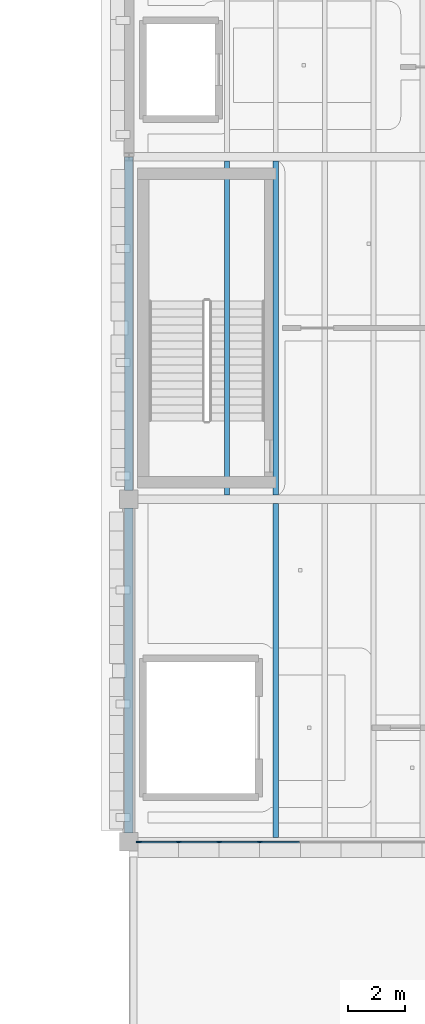
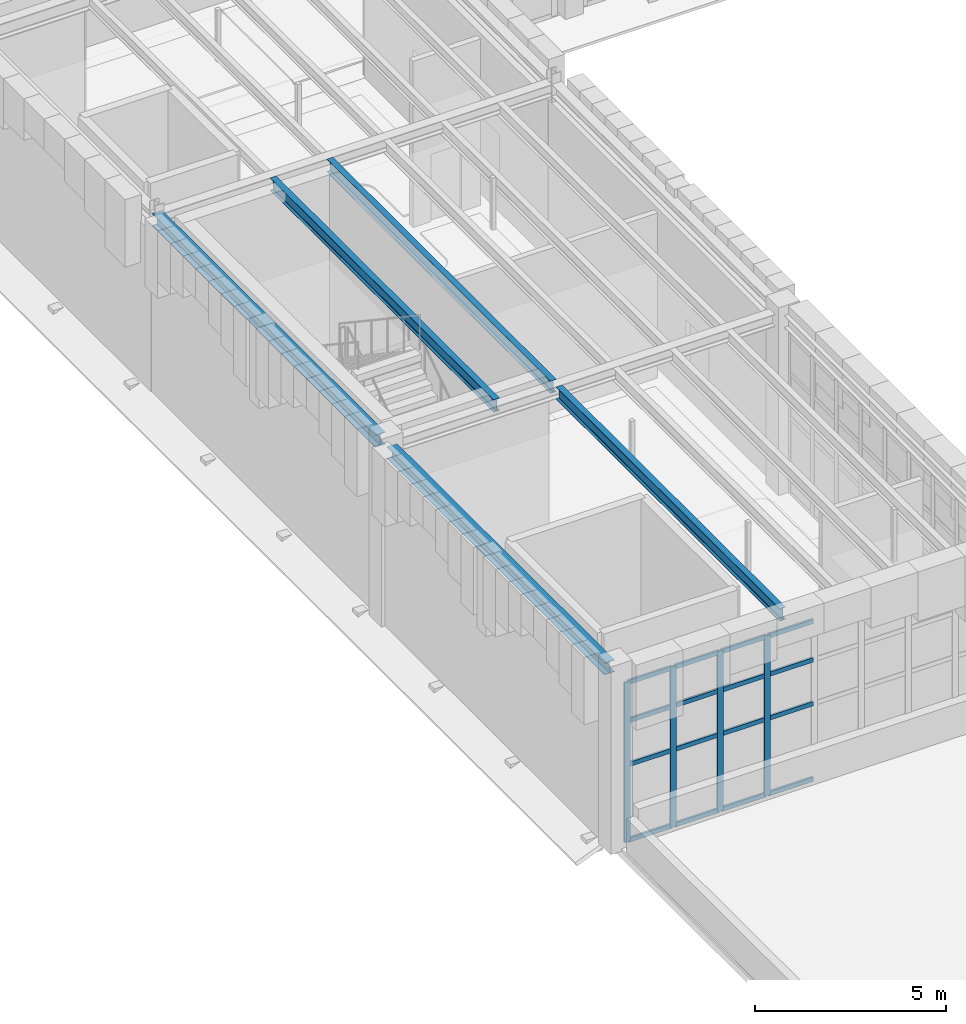
# One storey, part 14 of 83: 20 members, 5 beams, 1 element without a shape of its own.
"""IFC4 building model written with IfcOpenShell, lengths in metres."""

from ifc_helpers import new_model, si_unit, direction, frame, origin, origin_2d, place, context, subcontext, project, spatial, rectangle, i_section, extrude, material, layer, layer_set, material_profile, profile_set, type_object, element, aggregate, save


model = new_model("IFC4")

# Units and contexts
model_context = context("Model", 3, precision=1e-05, world=origin(), true_north=direction((0.0, 1.0)))
body_context = subcontext(model_context, "Body", "Model", "MODEL_VIEW")
ifc_project = project(units=[si_unit("LENGTHUNIT", "METRE"), si_unit("AREAUNIT", "SQUARE_METRE"), si_unit("VOLUMEUNIT", "CUBIC_METRE"), si_unit("PLANEANGLEUNIT", "RADIAN"), si_unit("MASSUNIT", "GRAM", prefix="KILO")], contexts=[model_context])

# Site, building, storey
site_placement = place(None, origin())
site = spatial("IfcSite", under=ifc_project, at=site_placement, CompositionType="ELEMENT")
building_placement = place(site_placement, origin())
building = spatial("IfcBuilding", under=site, at=building_placement, Name="Zlatogorsky Bluff Art Gallery", CompositionType="ELEMENT")
storey_placement = place(building_placement, frame((0.0, 0.0, 10.800048828125)))
storey = spatial("IfcBuildingStorey", under=building, at=storey_placement, Name="L02", CompositionType="ELEMENT", Elevation=10.800048828125)

# Beams
ifc_material_1 = material(Name="Steel S355", Category="steel")
ifc_material_profile_1 = material_profile(ifc_material_1, i_section(OverallWidth=0.300048828125, OverallDepth=0.389892578125, WebThickness=0.010986328125, FlangeThickness=0.01904296875, FilletRadius=0.027099609375, at=origin_2d()), Name="HEA 400")
ifc_profile_set_1 = profile_set([ifc_material_profile_1], Name="Steel S355")
beam_type_1 = type_object("IfcBeamType", Name="Beam BM-09 HEA 400", PredefinedType="BEAM", material=ifc_profile_set_1)
beam_1_placement = place(storey_placement, frame((120.0, 50.705078125, 5.494873046875), z_axis=(0.0, 1.0, 0.0), x_axis=(-1.0, 0.0, 0.0)))
element("IfcBeam", 1, at=beam_1_placement, inside=storey, type_object=beam_type_1, Name="Primary girder BM-09 L02 L/6-7", PredefinedType="BEAM", context=body_context, shape_type="SweptSolid", body=[
    extrude(i_section(OverallWidth=0.300048828125, OverallDepth=0.389892578125, WebThickness=0.010986328125, FlangeThickness=0.01904296875, FilletRadius=0.027099609375, at=origin_2d()), origin(), (0.0, 0.0, 1.0), 11.389892578125),
])
beam_2_placement = place(storey_placement, frame((120.0, 62.705078125, 5.494873046875), z_axis=(0.0, 1.0, 0.0), x_axis=(-1.0, 0.0, 0.0)))
element("IfcBeam", 2, at=beam_2_placement, inside=storey, type_object=beam_type_1, Name="Primary girder BM-09 L02 L/7-8", PredefinedType="BEAM", context=body_context, shape_type="SweptSolid", body=[
    extrude(i_section(OverallWidth=0.300048828125, OverallDepth=0.389892578125, WebThickness=0.010986328125, FlangeThickness=0.01904296875, FilletRadius=0.027099609375, at=origin_2d()), origin(), (0.0, 0.0, 1.0), 11.679931640625),
])
ifc_material_profile_2 = material_profile(ifc_material_1, i_section(OverallWidth=0.179931640625, OverallDepth=0.39990234375, WebThickness=0.008544921875, FlangeThickness=0.013427734375, FilletRadius=0.02099609375, at=origin_2d()), Name="IPE 400")
ifc_profile_set_2 = profile_set([ifc_material_profile_2], Name="Steel S355")
beam_type_2 = type_object("IfcBeamType", Name="Beam JS-05 IPE 400", PredefinedType="JOIST", material=ifc_profile_set_2)
for number, where, z_axis, x_axis, name in (
    (3, (125.142822265625, 50.550048828125, 5.489990234375), (0.0, 1.0, 0.0), (-1.0, 0.0, 0.0), "Composite floor joist JS-05 L02 10.05.3"),
    (4, (123.428466796875, 62.550048828125, 5.489990234375), (0.0, 1.0, 0.0), (-1.0, 0.0, 0.0), "Composite floor joist JS-05 L02 10.06.2"),
    (5, (125.142822265625, 62.550048828125, 5.489990234375), (0.0, 1.0, 0.0), (-1.0, 0.0, 0.0), "Composite floor joist JS-05 L02 10.06.3"),
):
    element("IfcBeam", number, at=place(storey_placement, frame(where, z_axis=z_axis, x_axis=x_axis)), inside=storey, type_object=beam_type_2, Name=name, PredefinedType="JOIST", context=body_context, shape_type="SweptSolid", body=[
        extrude(i_section(OverallWidth=0.179931640625, OverallDepth=0.39990234375, WebThickness=0.008544921875, FlangeThickness=0.013427734375, FilletRadius=0.02099609375, at=origin_2d()), origin(), (0.0, 0.0, 1.0), 11.699951171875),
    ])

# Curtain wall, members
ifc_material_2 = material(Name="Anodised Bronze Aluminium and Low-Iron Triple Glazing", Category="aluminium")
ifc_layer = layer(ifc_material_2, 0.199951171875)
ifc_layer_set = layer_set([ifc_layer], Name="Curtain Wall CW-02")
curtain_wall_type = type_object("IfcCurtainWallType", Name="Curtain Wall CW-02", PredefinedType="USERDEFINED", material=ifc_layer_set)
curtain_wall_placement = place(storey_placement, origin())
curtain_wall = element("IfcCurtainWall", 6, at=curtain_wall_placement, inside=storey, type_object=curtain_wall_type, Name="Unitised curtain wall CW-02 L02 S 10.5", ObjectType="CURTAIN WALL", PredefinedType="USERDEFINED")
ifc_material_3 = material(Name="Anodised Bronze Aluminium", Category="aluminium")
ifc_material_profile_3 = material_profile(ifc_material_3, rectangle(XDim=0.06494140625, YDim=0.179931640625, at=origin_2d()), Name="ALU MULLION 65x180")
ifc_profile_set_3 = profile_set([ifc_material_profile_3], Name="Anodised Bronze Aluminium")
member_type_1 = type_object("IfcMemberType", Name="Curtain Mullion ML-01", PredefinedType="MULLION", material=ifc_profile_set_3)
member_1_placement = place(storey_placement, frame((120.3525390625, 50.39990234375, 0.0), z_axis=(0.0, 0.0, 1.0), x_axis=(0.0, 1.0, 0.0)))
member_1 = element("IfcMember", 7, at=member_1_placement, type_object=member_type_1, Name="CW-02 mullion 1", PredefinedType="MULLION", context=body_context, shape_type="SweptSolid", body=[
    extrude(rectangle(XDim=0.06494140625, YDim=0.179931640625, at=origin_2d()), origin(), (0.0, 0.0, 1.0), 5.10986328125),
])
member_2_placement = place(storey_placement, frame((121.739990234375, 50.39990234375, 0.0), z_axis=(0.0, 0.0, 1.0), x_axis=(0.0, 1.0, 0.0)))
member_2 = element("IfcMember", 8, at=member_2_placement, type_object=member_type_1, Name="CW-02 mullion 2", PredefinedType="MULLION", context=body_context, shape_type="SweptSolid", body=[
    extrude(rectangle(XDim=0.06494140625, YDim=0.179931640625, at=origin_2d()), origin(), (0.0, 0.0, 1.0), 5.10986328125),
])
member_3_placement = place(storey_placement, frame((123.159912109375, 50.39990234375, 0.0), z_axis=(0.0, 0.0, 1.0), x_axis=(0.0, 1.0, 0.0)))
member_3 = element("IfcMember", 9, at=member_3_placement, type_object=member_type_1, Name="CW-02 mullion 3", PredefinedType="MULLION", context=body_context, shape_type="SweptSolid", body=[
    extrude(rectangle(XDim=0.06494140625, YDim=0.179931640625, at=origin_2d()), origin(), (0.0, 0.0, 1.0), 5.10986328125),
])
member_4_placement = place(storey_placement, frame((124.580078125, 50.39990234375, 0.0), z_axis=(0.0, 0.0, 1.0), x_axis=(0.0, 1.0, 0.0)))
member_4 = element("IfcMember", 10, at=member_4_placement, type_object=member_type_1, Name="CW-02 mullion 4", PredefinedType="MULLION", context=body_context, shape_type="SweptSolid", body=[
    extrude(rectangle(XDim=0.06494140625, YDim=0.179931640625, at=origin_2d()), origin(), (0.0, 0.0, 1.0), 5.10986328125),
])
ifc_material_profile_4 = material_profile(ifc_material_3, rectangle(XDim=0.06494140625, YDim=0.139892578125, at=origin_2d()), Name="ALU TRANSOM 65x140")
ifc_profile_set_4 = profile_set([ifc_material_profile_4], Name="Anodised Bronze Aluminium")
member_type_2 = type_object("IfcMemberType", Name="Curtain Transom TR-01", PredefinedType="USERDEFINED", material=ifc_profile_set_4)
member_5_placement = place(storey_placement, frame((120.385009765625, 50.39990234375, 0.032470703125), z_axis=(1.0, 0.0, 0.0), x_axis=(0.0, 1.0, 0.0)))
member_5 = element("IfcMember", 11, at=member_5_placement, type_object=member_type_2, Name="CW-02 transom 1.1", ObjectType="TRANSOM", PredefinedType="USERDEFINED", context=body_context, shape_type="SweptSolid", body=[
    extrude(rectangle(XDim=0.06494140625, YDim=0.139892578125, at=origin_2d()), origin(), (0.0, 0.0, 1.0), 1.322509765625),
])
member_6_placement = place(storey_placement, frame((120.385009765625, 50.39990234375, 2.449951171875), z_axis=(1.0, 0.0, 0.0), x_axis=(0.0, 1.0, 0.0)))
member_6 = element("IfcMember", 12, at=member_6_placement, type_object=member_type_2, Name="CW-02 transom 1.2", ObjectType="TRANSOM", PredefinedType="USERDEFINED", context=body_context, shape_type="SweptSolid", body=[
    extrude(rectangle(XDim=0.06494140625, YDim=0.139892578125, at=origin_2d()), origin(), (0.0, 0.0, 1.0), 1.322509765625),
])
member_7_placement = place(storey_placement, frame((120.385009765625, 50.39990234375, 3.849853515625), z_axis=(1.0, 0.0, 0.0), x_axis=(0.0, 1.0, 0.0)))
member_7 = element("IfcMember", 13, at=member_7_placement, type_object=member_type_2, Name="CW-02 transom 1.3", ObjectType="TRANSOM", PredefinedType="USERDEFINED", context=body_context, shape_type="SweptSolid", body=[
    extrude(rectangle(XDim=0.06494140625, YDim=0.139892578125, at=origin_2d()), origin(), (0.0, 0.0, 1.0), 1.322509765625),
])
member_8_placement = place(storey_placement, frame((120.385009765625, 50.39990234375, 5.077392578125), z_axis=(1.0, 0.0, 0.0), x_axis=(0.0, 1.0, 0.0)))
member_8 = element("IfcMember", 14, at=member_8_placement, type_object=member_type_2, Name="CW-02 transom 1.4", ObjectType="TRANSOM", PredefinedType="USERDEFINED", context=body_context, shape_type="SweptSolid", body=[
    extrude(rectangle(XDim=0.06494140625, YDim=0.139892578125, at=origin_2d()), origin(), (0.0, 0.0, 1.0), 1.322509765625),
])
member_9_placement = place(storey_placement, frame((121.7724609375, 50.39990234375, 0.032470703125), z_axis=(1.0, 0.0, 0.0), x_axis=(0.0, 1.0, 0.0)))
member_9 = element("IfcMember", 15, at=member_9_placement, type_object=member_type_2, Name="CW-02 transom 2.1", ObjectType="TRANSOM", PredefinedType="USERDEFINED", context=body_context, shape_type="SweptSolid", body=[
    extrude(rectangle(XDim=0.06494140625, YDim=0.139892578125, at=origin_2d()), origin(), (0.0, 0.0, 1.0), 1.35498046875),
])
member_10_placement = place(storey_placement, frame((121.7724609375, 50.39990234375, 2.449951171875), z_axis=(1.0, 0.0, 0.0), x_axis=(0.0, 1.0, 0.0)))
member_10 = element("IfcMember", 16, at=member_10_placement, type_object=member_type_2, Name="CW-02 transom 2.2", ObjectType="TRANSOM", PredefinedType="USERDEFINED", context=body_context, shape_type="SweptSolid", body=[
    extrude(rectangle(XDim=0.06494140625, YDim=0.139892578125, at=origin_2d()), origin(), (0.0, 0.0, 1.0), 1.35498046875),
])
member_11_placement = place(storey_placement, frame((121.7724609375, 50.39990234375, 3.849853515625), z_axis=(1.0, 0.0, 0.0), x_axis=(0.0, 1.0, 0.0)))
member_11 = element("IfcMember", 17, at=member_11_placement, type_object=member_type_2, Name="CW-02 transom 2.3", ObjectType="TRANSOM", PredefinedType="USERDEFINED", context=body_context, shape_type="SweptSolid", body=[
    extrude(rectangle(XDim=0.06494140625, YDim=0.139892578125, at=origin_2d()), origin(), (0.0, 0.0, 1.0), 1.35498046875),
])
member_12_placement = place(storey_placement, frame((121.7724609375, 50.39990234375, 5.077392578125), z_axis=(1.0, 0.0, 0.0), x_axis=(0.0, 1.0, 0.0)))
member_12 = element("IfcMember", 18, at=member_12_placement, type_object=member_type_2, Name="CW-02 transom 2.4", ObjectType="TRANSOM", PredefinedType="USERDEFINED", context=body_context, shape_type="SweptSolid", body=[
    extrude(rectangle(XDim=0.06494140625, YDim=0.139892578125, at=origin_2d()), origin(), (0.0, 0.0, 1.0), 1.35498046875),
])
member_13_placement = place(storey_placement, frame((123.1923828125, 50.39990234375, 0.032470703125), z_axis=(1.0, 0.0, 0.0), x_axis=(0.0, 1.0, 0.0)))
member_13 = element("IfcMember", 19, at=member_13_placement, type_object=member_type_2, Name="CW-02 transom 3.1", ObjectType="TRANSOM", PredefinedType="USERDEFINED", context=body_context, shape_type="SweptSolid", body=[
    extrude(rectangle(XDim=0.06494140625, YDim=0.139892578125, at=origin_2d()), origin(), (0.0, 0.0, 1.0), 1.355224609375),
])
member_14_placement = place(storey_placement, frame((123.1923828125, 50.39990234375, 2.449951171875), z_axis=(1.0, 0.0, 0.0), x_axis=(0.0, 1.0, 0.0)))
member_14 = element("IfcMember", 20, at=member_14_placement, type_object=member_type_2, Name="CW-02 transom 3.2", ObjectType="TRANSOM", PredefinedType="USERDEFINED", context=body_context, shape_type="SweptSolid", body=[
    extrude(rectangle(XDim=0.06494140625, YDim=0.139892578125, at=origin_2d()), origin(), (0.0, 0.0, 1.0), 1.355224609375),
])
member_15_placement = place(storey_placement, frame((123.1923828125, 50.39990234375, 3.849853515625), z_axis=(1.0, 0.0, 0.0), x_axis=(0.0, 1.0, 0.0)))
member_15 = element("IfcMember", 21, at=member_15_placement, type_object=member_type_2, Name="CW-02 transom 3.3", ObjectType="TRANSOM", PredefinedType="USERDEFINED", context=body_context, shape_type="SweptSolid", body=[
    extrude(rectangle(XDim=0.06494140625, YDim=0.139892578125, at=origin_2d()), origin(), (0.0, 0.0, 1.0), 1.355224609375),
])
member_16_placement = place(storey_placement, frame((123.1923828125, 50.39990234375, 5.077392578125), z_axis=(1.0, 0.0, 0.0), x_axis=(0.0, 1.0, 0.0)))
member_16 = element("IfcMember", 22, at=member_16_placement, type_object=member_type_2, Name="CW-02 transom 3.4", ObjectType="TRANSOM", PredefinedType="USERDEFINED", context=body_context, shape_type="SweptSolid", body=[
    extrude(rectangle(XDim=0.06494140625, YDim=0.139892578125, at=origin_2d()), origin(), (0.0, 0.0, 1.0), 1.355224609375),
])
member_17_placement = place(storey_placement, frame((124.612548828125, 50.39990234375, 0.032470703125), z_axis=(1.0, 0.0, 0.0), x_axis=(0.0, 1.0, 0.0)))
member_17 = element("IfcMember", 23, at=member_17_placement, type_object=member_type_2, Name="CW-02 transom 4.1", ObjectType="TRANSOM", PredefinedType="USERDEFINED", context=body_context, shape_type="SweptSolid", body=[
    extrude(rectangle(XDim=0.06494140625, YDim=0.139892578125, at=origin_2d()), origin(), (0.0, 0.0, 1.0), 1.35498046875),
])
member_18_placement = place(storey_placement, frame((124.612548828125, 50.39990234375, 2.449951171875), z_axis=(1.0, 0.0, 0.0), x_axis=(0.0, 1.0, 0.0)))
member_18 = element("IfcMember", 24, at=member_18_placement, type_object=member_type_2, Name="CW-02 transom 4.2", ObjectType="TRANSOM", PredefinedType="USERDEFINED", context=body_context, shape_type="SweptSolid", body=[
    extrude(rectangle(XDim=0.06494140625, YDim=0.139892578125, at=origin_2d()), origin(), (0.0, 0.0, 1.0), 1.35498046875),
])
member_19_placement = place(storey_placement, frame((124.612548828125, 50.39990234375, 3.849853515625), z_axis=(1.0, 0.0, 0.0), x_axis=(0.0, 1.0, 0.0)))
member_19 = element("IfcMember", 25, at=member_19_placement, type_object=member_type_2, Name="CW-02 transom 4.3", ObjectType="TRANSOM", PredefinedType="USERDEFINED", context=body_context, shape_type="SweptSolid", body=[
    extrude(rectangle(XDim=0.06494140625, YDim=0.139892578125, at=origin_2d()), origin(), (0.0, 0.0, 1.0), 1.35498046875),
])
member_20_placement = place(storey_placement, frame((124.612548828125, 50.39990234375, 5.077392578125), z_axis=(1.0, 0.0, 0.0), x_axis=(0.0, 1.0, 0.0)))
member_20 = element("IfcMember", 26, at=member_20_placement, type_object=member_type_2, Name="CW-02 transom 4.4", ObjectType="TRANSOM", PredefinedType="USERDEFINED", context=body_context, shape_type="SweptSolid", body=[
    extrude(rectangle(XDim=0.06494140625, YDim=0.139892578125, at=origin_2d()), origin(), (0.0, 0.0, 1.0), 1.35498046875),
])
aggregate(curtain_wall, [member_1, member_2, member_3, member_4, member_5, member_6, member_7, member_8, member_9, member_10, member_11, member_12, member_13, member_14, member_15, member_16, member_17, member_18, member_19, member_20])

save(model, "model.ifc")
